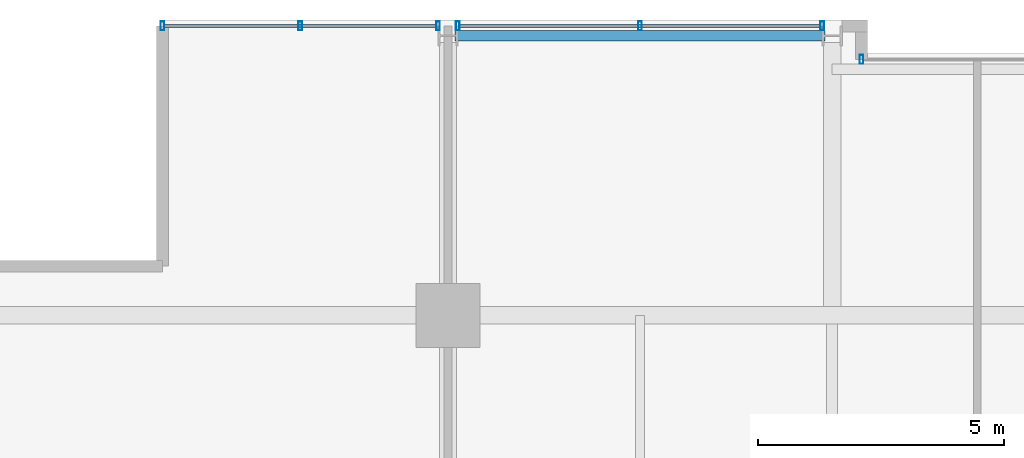
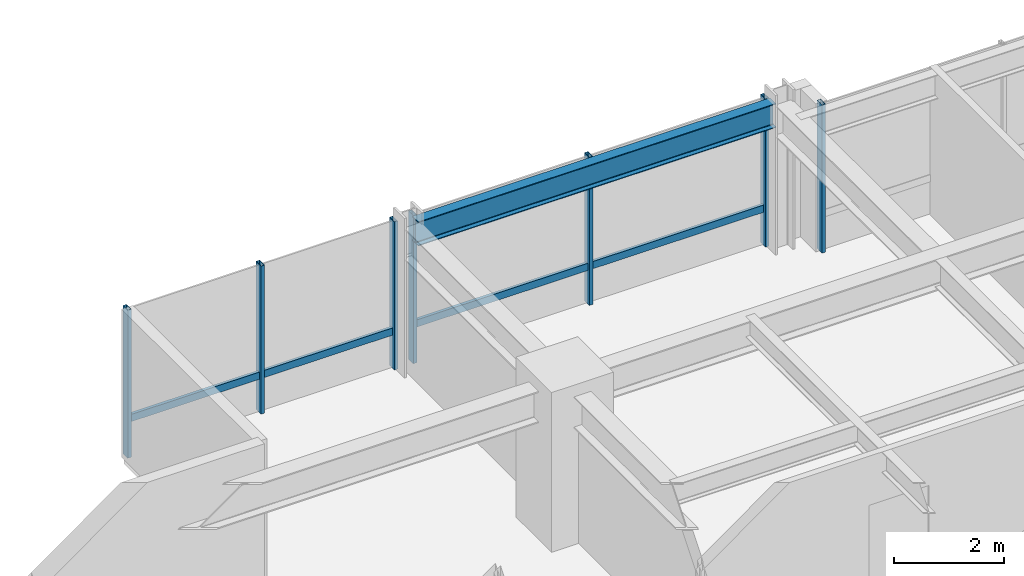
# One storey, part 21 of 33: 9 members, 1 beam, 3 elements without a shape of their own.
"""IFC4 building model written with IfcOpenShell, lengths in metres."""

from ifc_helpers import new_model, si_unit, direction, frame, origin, origin_2d, place, context, subcontext, project, spatial, hollow_rectangle, i_section, extrude, material, layer, layer_set, material_profile, profile_set, type_object, element, aggregate, save


model = new_model("IFC4")

# Units and contexts
model_context = context("Model", 3, precision=1e-05, world=origin(), true_north=direction((0.0, 1.0)))
body_context = subcontext(model_context, "Body", "Model", "MODEL_VIEW")
ifc_project = project(units=[si_unit("LENGTHUNIT", "METRE"), si_unit("AREAUNIT", "SQUARE_METRE"), si_unit("VOLUMEUNIT", "CUBIC_METRE"), si_unit("PLANEANGLEUNIT", "RADIAN"), si_unit("MASSUNIT", "GRAM", prefix="KILO")], contexts=[model_context])

# Site, building, storey
site_placement = place(None, origin())
site = spatial("IfcSite", under=ifc_project, at=site_placement, CompositionType="ELEMENT")
building_placement = place(site_placement, origin())
building = spatial("IfcBuilding", under=site, at=building_placement, Name="Drelvath Grand Hotel", CompositionType="ELEMENT")
storey_placement = place(building_placement, frame((0.0, 0.0, 161.050048828125)))
storey = spatial("IfcBuildingStorey", under=building, at=storey_placement, Name="L41", CompositionType="ELEMENT", Elevation=161.050048828125)

# Curtain wall, member
ifc_material_1 = material(Name="Brushed Pale-Silver Anodised Aluminium Frame", Category="aluminium")
ifc_layer = layer(ifc_material_1, 0.199951171875)
ifc_layer_set = layer_set([ifc_layer], Name="Brushed Pale-Silver Anodised Aluminium Frame")
curtain_wall_type = type_object("IfcCurtainWallType", Name="Stick Curtain Wall CW-04 Brushed Silver Upper-Mid", PredefinedType="NOTDEFINED", material=ifc_layer_set)
curtain_wall_1_placement = place(storey_placement, origin())
curtain_wall_1 = element("IfcCurtainWall", 1, at=curtain_wall_1_placement, inside=storey, type_object=curtain_wall_type, Name="L41 CW-04 Curtain Wall CW04-L41-NW1", PredefinedType="NOTDEFINED")
ifc_material_profile_1 = material_profile(ifc_material_1, hollow_rectangle(XDim=0.06494140625, YDim=0.159912109375, WallThickness=0.00390625, at=origin_2d()), Name="HSS160X65X4")
ifc_profile_set_1 = profile_set([ifc_material_profile_1], Name="Brushed Pale-Silver Anodised Aluminium Frame")
member_type_1 = type_object("IfcMemberType", Name="Curtain Wall Horizontal Transom CW-04 HSS160X65X4", PredefinedType="USERDEFINED", material=ifc_profile_set_1)
member_1_placement = place(storey_placement, frame((-21.9599609375, 49.080078125, 0.822509765625), z_axis=(1.0, 0.0, 0.0), x_axis=(0.0, 1.0, 0.0)))
member_1 = element("IfcMember", 2, at=member_1_placement, type_object=member_type_1, Name="CW04-L41-NW1 Sill Transom", ObjectType="TRANSOM", PredefinedType="USERDEFINED", context=body_context, shape_type="SweptSolid", body=[
    extrude(hollow_rectangle(XDim=0.06494140625, YDim=0.159912109375, WallThickness=0.00390625, at=origin_2d()), origin(), (0.0, 0.0, 1.0), 5.519775390625),
])

curtain_wall_2_placement = place(storey_placement, origin())
curtain_wall_2 = element("IfcCurtainWall", 3, at=curtain_wall_2_placement, inside=storey, type_object=curtain_wall_type, Name="L41 CW-04 Curtain Wall CW04-L41-NW2", PredefinedType="NOTDEFINED")
member_2_placement = place(storey_placement, frame((-15.9599609375, 49.080078125, 0.822509765625), z_axis=(1.0, 0.0, 0.0), x_axis=(0.0, 1.0, 0.0)))
member_2 = element("IfcMember", 4, at=member_2_placement, type_object=member_type_1, Name="CW04-L41-NW2 Sill Transom", ObjectType="TRANSOM", PredefinedType="USERDEFINED", context=body_context, shape_type="SweptSolid", body=[
    extrude(hollow_rectangle(XDim=0.06494140625, YDim=0.159912109375, WallThickness=0.00390625, at=origin_2d()), origin(), (0.0, 0.0, 1.0), 7.31982421875),
])

# Member
ifc_material_profile_2 = material_profile(ifc_material_1, hollow_rectangle(XDim=0.074951171875, YDim=0.179931640625, WallThickness=0.0048828125, at=origin_2d()), Name="HSS180X75X5")
ifc_profile_set_2 = profile_set([ifc_material_profile_2], Name="Brushed Pale-Silver Anodised Aluminium Frame")
member_type_2 = type_object("IfcMemberType", Name="Curtain Wall Vertical Mullion CW-04 HSS180X75X5", PredefinedType="MULLION", material=ifc_profile_set_2)
member_3_placement = place(storey_placement, frame((-22.0, 49.080078125, 0.0), z_axis=(0.0, 0.0, 1.0), x_axis=(1.0, 0.0, 0.0)))
member_3 = element("IfcMember", 5, at=member_3_placement, type_object=member_type_2, Name="CW04-L41-NW1 Mullion 1", PredefinedType="MULLION", context=body_context, shape_type="SweptSolid", body=[
    extrude(hollow_rectangle(XDim=0.074951171875, YDim=0.179931640625, WallThickness=0.0048828125, at=origin_2d()), origin(), (0.0, 0.0, 1.0), 3.2900390625),
])

member_4_placement = place(storey_placement, frame((-19.199951171875, 49.080078125, 0.0), z_axis=(0.0, 0.0, 1.0), x_axis=(1.0, 0.0, 0.0)))
member_4 = element("IfcMember", 6, at=member_4_placement, type_object=member_type_2, Name="CW04-L41-NW1 Mullion 2", PredefinedType="MULLION", context=body_context, shape_type="SweptSolid", body=[
    extrude(hollow_rectangle(XDim=0.074951171875, YDim=0.179931640625, WallThickness=0.0048828125, at=origin_2d()), origin(), (0.0, 0.0, 1.0), 3.2900390625),
])

member_5_placement = place(storey_placement, frame((-16.400146484375, 49.080078125, 0.0), z_axis=(0.0, 0.0, 1.0), x_axis=(1.0, 0.0, 0.0)))
member_5 = element("IfcMember", 7, at=member_5_placement, type_object=member_type_2, Name="CW04-L41-NW1 Mullion 3", PredefinedType="MULLION", context=body_context, shape_type="SweptSolid", body=[
    extrude(hollow_rectangle(XDim=0.074951171875, YDim=0.179931640625, WallThickness=0.0048828125, at=origin_2d()), origin(), (0.0, 0.0, 1.0), 3.2900390625),
])

aggregate(curtain_wall_1, [member_3, member_4, member_5, member_1])

member_6_placement = place(storey_placement, frame((-16.0, 49.080078125, 0.0), z_axis=(0.0, 0.0, 1.0), x_axis=(1.0, 0.0, 0.0)))
member_6 = element("IfcMember", 8, at=member_6_placement, type_object=member_type_2, Name="CW04-L41-NW2 Mullion 1", PredefinedType="MULLION", context=body_context, shape_type="SweptSolid", body=[
    extrude(hollow_rectangle(XDim=0.074951171875, YDim=0.179931640625, WallThickness=0.0048828125, at=origin_2d()), origin(), (0.0, 0.0, 1.0), 3.2900390625),
])

member_7_placement = place(storey_placement, frame((-12.300048828125, 49.080078125, 0.0), z_axis=(0.0, 0.0, 1.0), x_axis=(1.0, 0.0, 0.0)))
member_7 = element("IfcMember", 9, at=member_7_placement, type_object=member_type_2, Name="CW04-L41-NW2 Mullion 2", PredefinedType="MULLION", context=body_context, shape_type="SweptSolid", body=[
    extrude(hollow_rectangle(XDim=0.074951171875, YDim=0.179931640625, WallThickness=0.0048828125, at=origin_2d()), origin(), (0.0, 0.0, 1.0), 3.2900390625),
])

member_8_placement = place(storey_placement, frame((-8.60009765625, 49.080078125, 0.0), z_axis=(0.0, 0.0, 1.0), x_axis=(1.0, 0.0, 0.0)))
member_8 = element("IfcMember", 10, at=member_8_placement, type_object=member_type_2, Name="CW04-L41-NW2 Mullion 3", PredefinedType="MULLION", context=body_context, shape_type="SweptSolid", body=[
    extrude(hollow_rectangle(XDim=0.074951171875, YDim=0.179931640625, WallThickness=0.0048828125, at=origin_2d()), origin(), (0.0, 0.0, 1.0), 3.2900390625),
])

aggregate(curtain_wall_2, [member_6, member_7, member_8, member_2])

# Curtain wall, member
curtain_wall_3_placement = place(storey_placement, origin())
curtain_wall_3 = element("IfcCurtainWall", 11, at=curtain_wall_3_placement, inside=storey, type_object=curtain_wall_type, Name="L41 CW-04 Curtain Wall CW04-L41-NM1", PredefinedType="NOTDEFINED")
member_9_placement = place(storey_placement, frame((-7.800048828125, 48.39990234375, 0.0), z_axis=(0.0, 0.0, 1.0), x_axis=(1.0, 0.0, 0.0)))
member_9 = element("IfcMember", 12, at=member_9_placement, type_object=member_type_2, Name="CW04-L41-NM1 Mullion 1", PredefinedType="MULLION", context=body_context, shape_type="SweptSolid", body=[
    extrude(hollow_rectangle(XDim=0.074951171875, YDim=0.179931640625, WallThickness=0.0048828125, at=origin_2d()), origin(), (0.0, 0.0, 1.0), 3.2900390625),
])
aggregate(curtain_wall_3, [member_9])

# Beam
ifc_material_2 = material(Name="Steel ASTM A992 Gr 50", Category="steel")
ifc_material_profile_3 = material_profile(ifc_material_2, i_section(OverallWidth=0.210205078125, OverallDepth=0.53662109375, WebThickness=0.010986328125, FlangeThickness=0.017333984375, FilletRadius=0.01806640625, at=origin_2d()), Name="W21X68")
ifc_profile_set_3 = profile_set([ifc_material_profile_3], Name="Steel ASTM A992 Gr 50")
beam_type = type_object("IfcBeamType", Name="Perimeter Spandrel Beam W21X68", PredefinedType="SPANDREL", material=ifc_profile_set_3)
beam_placement = place(storey_placement, frame((-16.06005859375, 48.8798828125, 3.021728515625), z_axis=(1.0, 0.0, 0.0), x_axis=(0.0, 1.0, 0.0)))
element("IfcBeam", 13, at=beam_placement, inside=storey, type_object=beam_type, Name="L41 Spandrel North W", PredefinedType="SPANDREL", context=body_context, shape_type="SweptSolid", body=[
    extrude(i_section(OverallWidth=0.210205078125, OverallDepth=0.53662109375, WebThickness=0.010986328125, FlangeThickness=0.017333984375, FilletRadius=0.01806640625, at=origin_2d()), origin(), (0.0, 0.0, 1.0), 7.52001953125),
])

save(model, "model.ifc")
